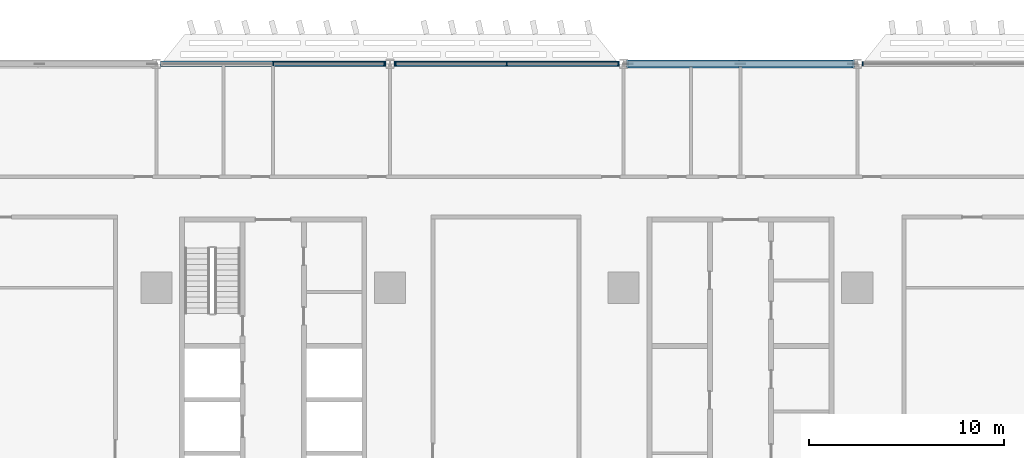
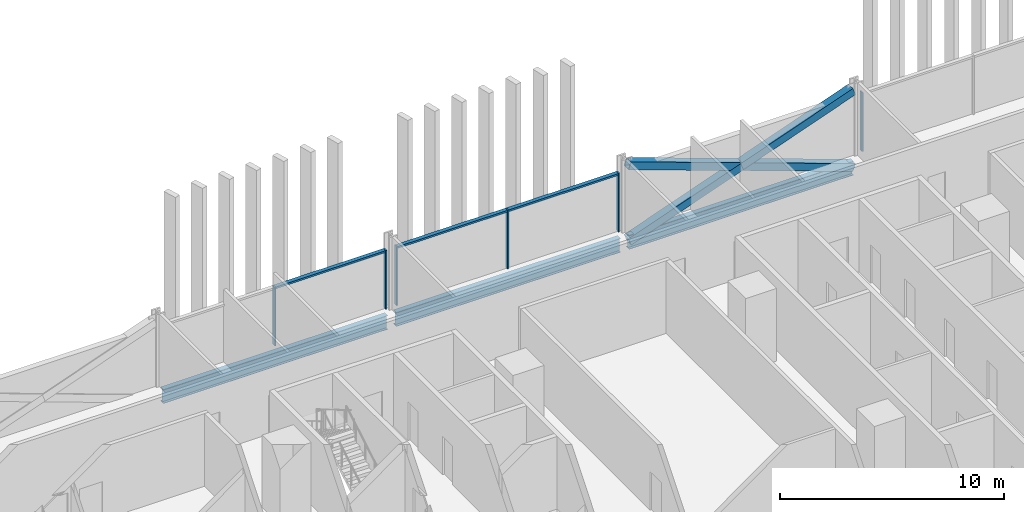
# One storey, part 5 of 31: 12 members, 3 beams, 3 elements without a shape of their own.
"""IFC4 building model written with IfcOpenShell, lengths in metres."""

from ifc_helpers import new_model, si_unit, direction, frame, origin, origin_2d, place, context, subcontext, project, spatial, rectangle, hollow_rectangle, i_section, extrude, material, material_profile, profile_set, type_object, element, aggregate, save


model = new_model("IFC4")

# Units and contexts
model_context = context("Model", 3, precision=1e-05, world=origin(), true_north=direction((0.0, 1.0)))
body_context = subcontext(model_context, "Body", "Model", "MODEL_VIEW")
ifc_project = project(units=[si_unit("LENGTHUNIT", "METRE"), si_unit("AREAUNIT", "SQUARE_METRE"), si_unit("VOLUMEUNIT", "CUBIC_METRE"), si_unit("PLANEANGLEUNIT", "RADIAN"), si_unit("MASSUNIT", "GRAM", prefix="KILO")], contexts=[model_context])

# Site, building, storey
site_placement = place(None, origin())
site = spatial("IfcSite", under=ifc_project, at=site_placement, CompositionType="ELEMENT")
building_placement = place(site_placement, origin())
building = spatial("IfcBuilding", under=site, at=building_placement, Name="Mahtab Terrace Research Tower", CompositionType="ELEMENT")
storey_placement = place(building_placement, frame((0.0, 0.0, 11.5)))
storey = spatial("IfcBuildingStorey", under=building, at=storey_placement, Name="L02", CompositionType="ELEMENT", Elevation=11.5)

# Members
ifc_material_1 = material(Name="Steel ASTM A500 Gr C", Category="steel")
ifc_material_profile_1 = material_profile(ifc_material_1, hollow_rectangle(XDim=0.406494140625, YDim=0.406494140625, WallThickness=0.01904296875, at=origin_2d()), Name="HSS16X16X3/4")
ifc_profile_set_1 = profile_set([ifc_material_profile_1], Name="Steel ASTM A500 Gr C")
member_type_1 = type_object("IfcMemberType", Name="HSS 16x16x3/4 brace XB161634", PredefinedType="BRACE", material=ifc_profile_set_1)
member_1_placement = place(storey_placement, frame((5.7841796875, 23.0, -0.64111328125), z_axis=(-0.941388097231, 0.0, 0.337325436917), x_axis=(0.0, -1.0, 0.0)))
element("IfcMember", 1, at=member_1_placement, inside=storey, type_object=member_type_1, Name="Exoskeleton brace L02 04 a", PredefinedType="BRACE", context=body_context, shape_type="SweptSolid", body=[
    extrude(hollow_rectangle(XDim=0.406494140625, YDim=0.406494140625, WallThickness=0.01904296875, at=origin_2d()), origin(), (0.0, 0.0, 1.0), 12.28857421875),
])
for number, where, z_axis, x_axis, name in (
    (2, (-5.7841796875, 23.0, -0.64111328125), (0.941381788192, 0.0, 0.337343043295), (0.0, 1.0, 0.0), "Exoskeleton brace L02 04 b1"),
    (3, (0.0, 23.0, 1.431640625), (0.941394406025, 0.0, 0.337307830185), (0.0, 1.0, 0.0), "Exoskeleton brace L02 04 b2"),
):
    element("IfcMember", number, at=place(storey_placement, frame(where, z_axis=z_axis, x_axis=x_axis)), inside=storey, type_object=member_type_1, Name=name, PredefinedType="BRACE", context=body_context, shape_type="SweptSolid", body=[
        extrude(hollow_rectangle(XDim=0.406494140625, YDim=0.406494140625, WallThickness=0.01904296875, at=origin_2d()), origin(), (0.0, 0.0, 1.0), 6.144287109375),
    ])

# Curtain wall, member
ifc_material_2 = material(Name="Laboratory ribbon curtain wall")
curtain_wall_type = type_object("IfcCurtainWallType", Name="Laboratory ribbon curtain wall", PredefinedType="NOTDEFINED", material=ifc_material_2)
curtain_wall_1_placement = place(storey_placement, origin())
curtain_wall_1 = element("IfcCurtainWall", 4, at=curtain_wall_1_placement, inside=storey, type_object=curtain_wall_type, Name="EN.L02.3.5", PredefinedType="NOTDEFINED")
ifc_material_3 = material(Name="Natural anodised aluminium", Category="aluminium")
ifc_material_profile_2 = material_profile(ifc_material_3, rectangle(XDim=0.199951171875, YDim=0.06494140625, at=origin_2d()), Name="MULLION 65x200")
ifc_profile_set_2 = profile_set([ifc_material_profile_2], Name="Natural anodised aluminium")
member_type_2 = type_object("IfcMemberType", Name="Laboratory ribbon curtain wall mullion", PredefinedType="MULLION", material=ifc_profile_set_2)
member_2_placement = place(storey_placement, frame((6.281494140625, 23.0, 0.0), z_axis=(0.0, 0.0, 1.0), x_axis=(0.0, -1.0, 0.0)))
member_2 = element("IfcMember", 5, at=member_2_placement, type_object=member_type_2, Name="CWL-1 mullion 3", PredefinedType="MULLION", context=body_context, shape_type="SweptSolid", body=[
    extrude(rectangle(XDim=0.199951171875, YDim=0.06494140625, at=origin_2d()), origin(), (0.0, 0.0, 1.0), 3.203125),
])
aggregate(curtain_wall_1, [member_2])

# Curtain wall, members
curtain_wall_2_placement = place(storey_placement, origin())
curtain_wall_2 = element("IfcCurtainWall", 6, at=curtain_wall_2_placement, inside=storey, type_object=curtain_wall_type, Name="EN.L02.3.7", PredefinedType="NOTDEFINED")
member_3_placement = place(storey_placement, frame((-6.281494140625, 23.0, 0.0), z_axis=(0.0, 0.0, 1.0), x_axis=(0.0, -1.0, 0.0)))
member_3 = element("IfcMember", 7, at=member_3_placement, type_object=member_type_2, Name="CWL-1 mullion 1", PredefinedType="MULLION", context=body_context, shape_type="SweptSolid", body=[
    extrude(rectangle(XDim=0.199951171875, YDim=0.06494140625, at=origin_2d()), origin(), (0.0, 0.0, 1.0), 3.203125),
])
member_4_placement = place(storey_placement, frame((-12.0, 23.0, 0.0), z_axis=(0.0, 0.0, 1.0), x_axis=(0.0, -1.0, 0.0)))
member_4 = element("IfcMember", 8, at=member_4_placement, type_object=member_type_2, Name="CWL-1 mullion 2", PredefinedType="MULLION", context=body_context, shape_type="SweptSolid", body=[
    extrude(rectangle(XDim=0.199951171875, YDim=0.06494140625, at=origin_2d()), origin(), (0.0, 0.0, 1.0), 3.203125),
])
member_5_placement = place(storey_placement, frame((-17.718505859375, 23.0, 0.0), z_axis=(0.0, 0.0, 1.0), x_axis=(0.0, -1.0, 0.0)))
member_5 = element("IfcMember", 9, at=member_5_placement, type_object=member_type_2, Name="CWL-1 mullion 3", PredefinedType="MULLION", context=body_context, shape_type="SweptSolid", body=[
    extrude(rectangle(XDim=0.199951171875, YDim=0.06494140625, at=origin_2d()), origin(), (0.0, 0.0, 1.0), 3.203125),
])

curtain_wall_3_placement = place(storey_placement, origin())
curtain_wall_3 = element("IfcCurtainWall", 10, at=curtain_wall_3_placement, inside=storey, type_object=curtain_wall_type, Name="EN.L02.3.8", PredefinedType="NOTDEFINED")
member_6_placement = place(storey_placement, frame((-18.281494140625, 23.0, 0.0), z_axis=(0.0, 0.0, 1.0), x_axis=(0.0, -1.0, 0.0)))
member_6 = element("IfcMember", 11, at=member_6_placement, type_object=member_type_2, Name="CWL-1 mullion 1", PredefinedType="MULLION", context=body_context, shape_type="SweptSolid", body=[
    extrude(rectangle(XDim=0.199951171875, YDim=0.06494140625, at=origin_2d()), origin(), (0.0, 0.0, 1.0), 3.203125),
])
member_7_placement = place(storey_placement, frame((-24.0, 23.0, 0.0), z_axis=(0.0, 0.0, 1.0), x_axis=(0.0, -1.0, 0.0)))
member_7 = element("IfcMember", 12, at=member_7_placement, type_object=member_type_2, Name="CWL-1 mullion 2", PredefinedType="MULLION", context=body_context, shape_type="SweptSolid", body=[
    extrude(rectangle(XDim=0.199951171875, YDim=0.06494140625, at=origin_2d()), origin(), (0.0, 0.0, 1.0), 3.203125),
])

# Member
ifc_material_profile_3 = material_profile(ifc_material_3, rectangle(XDim=0.199951171875, YDim=0.10009765625, at=origin_2d()), Name="TRANSOM 100x200")
ifc_profile_set_3 = profile_set([ifc_material_profile_3], Name="Natural anodised aluminium")
member_type_3 = type_object("IfcMemberType", Name="Laboratory ribbon curtain wall transom", PredefinedType="USERDEFINED", material=ifc_profile_set_3)
member_8_placement = place(storey_placement, frame((-6.31396484375, 23.0, 3.153076171875), z_axis=(-1.0, 0.0, 0.0), x_axis=(0.0, -1.0, 0.0)))
member_8 = element("IfcMember", 13, at=member_8_placement, type_object=member_type_3, Name="CWL-1 transom 1", ObjectType="TRANSOM", PredefinedType="USERDEFINED", context=body_context, shape_type="SweptSolid", body=[
    extrude(rectangle(XDim=0.199951171875, YDim=0.10009765625, at=origin_2d()), origin(), (0.0, 0.0, 1.0), 5.653564453125),
])

member_9_placement = place(storey_placement, frame((-12.032470703125, 23.0, 3.153076171875), z_axis=(-1.0, 0.0, 0.0), x_axis=(0.0, -1.0, 0.0)))
member_9 = element("IfcMember", 14, at=member_9_placement, type_object=member_type_3, Name="CWL-1 transom 2", ObjectType="TRANSOM", PredefinedType="USERDEFINED", context=body_context, shape_type="SweptSolid", body=[
    extrude(rectangle(XDim=0.199951171875, YDim=0.10009765625, at=origin_2d()), origin(), (0.0, 0.0, 1.0), 5.653564453125),
])

aggregate(curtain_wall_2, [member_3, member_4, member_5, member_8, member_9])

member_10_placement = place(storey_placement, frame((-18.31396484375, 23.0, 3.153076171875), z_axis=(-1.0, 0.0, 0.0), x_axis=(0.0, -1.0, 0.0)))
member_10 = element("IfcMember", 15, at=member_10_placement, type_object=member_type_3, Name="CWL-1 transom 1", ObjectType="TRANSOM", PredefinedType="USERDEFINED", context=body_context, shape_type="SweptSolid", body=[
    extrude(rectangle(XDim=0.199951171875, YDim=0.10009765625, at=origin_2d()), origin(), (0.0, 0.0, 1.0), 5.653564453125),
])

aggregate(curtain_wall_3, [member_6, member_7, member_10])

# Beams
ifc_material_4 = material(Name="Steel ASTM A992 Gr 50", Category="steel")
ifc_material_profile_4 = material_profile(ifc_material_4, i_section(OverallWidth=0.2666015625, OverallDepth=0.7568359375, WebThickness=0.013916015625, FlangeThickness=0.019287109375, at=origin_2d()), Name="W30X108")
ifc_profile_set_4 = profile_set([ifc_material_profile_4], Name="Steel ASTM A992 Gr 50")
beam_type = type_object("IfcBeamType", Name="W30x108 beam BS30108", PredefinedType="BEAM", material=ifc_profile_set_4)
for number, where, z_axis, x_axis, name in (
    (16, (5.7841796875, 23.0, -0.718505859375), (-1.0, 0.0, 0.0), (0.0, -1.0, 0.0), "Spandrel beam L02 04"),
    (17, (-6.2158203125, 23.0, -0.718505859375), (-1.0, 0.0, 0.0), (0.0, -1.0, 0.0), "Spandrel beam L02 05"),
    (18, (-18.2158203125, 23.0, -0.718505859375), (-1.0, 0.0, 0.0), (0.0, -1.0, 0.0), "Spandrel beam L02 06"),
):
    element("IfcBeam", number, at=place(storey_placement, frame(where, z_axis=z_axis, x_axis=x_axis)), inside=storey, type_object=beam_type, Name=name, PredefinedType="BEAM", context=body_context, shape_type="SweptSolid", body=[
        extrude(i_section(OverallWidth=0.2666015625, OverallDepth=0.7568359375, WebThickness=0.013916015625, FlangeThickness=0.019287109375, at=origin_2d()), origin(), (0.0, 0.0, 1.0), 11.568359375),
    ])

save(model, "model.ifc")
